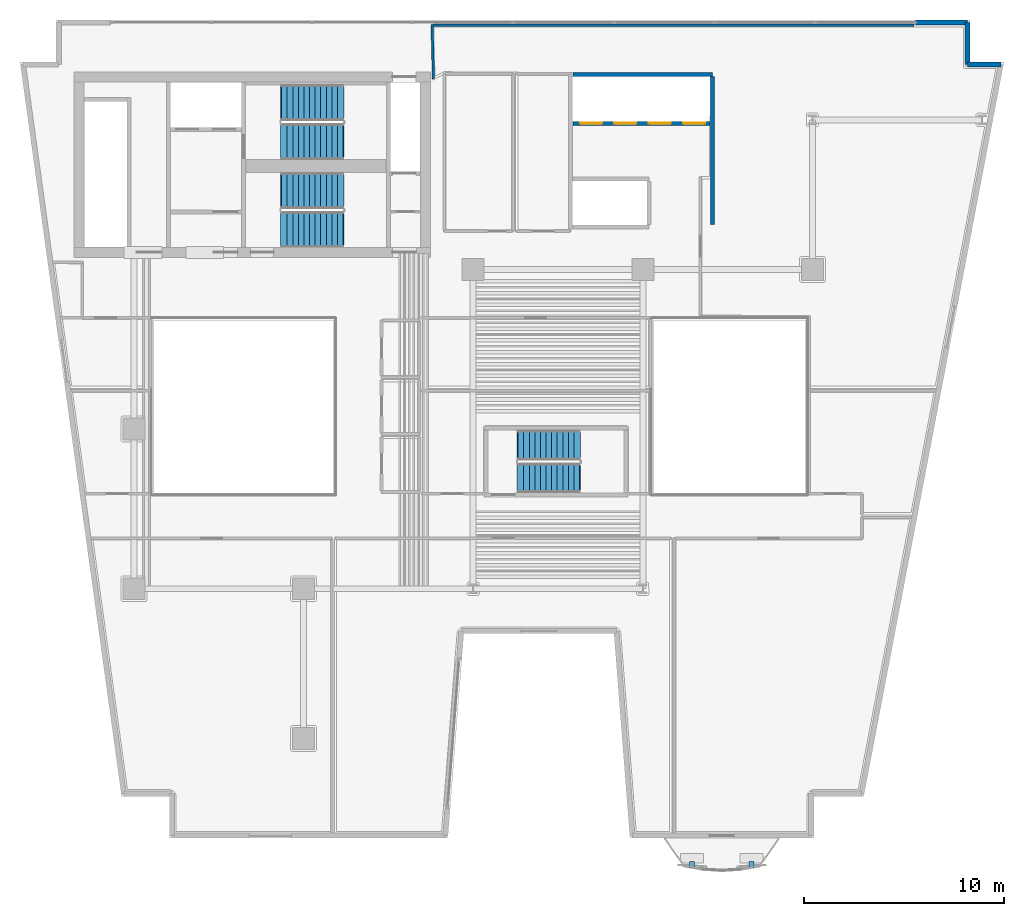
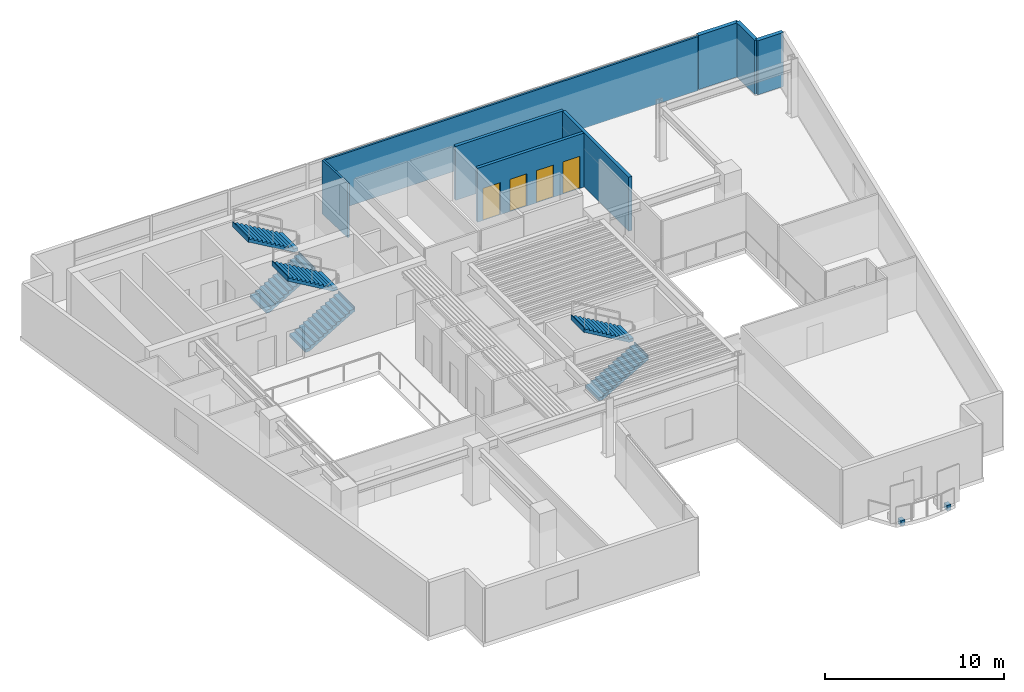
# One storey, part 8 of 13: 8 walls, 6 stair flights, 4 doors, 2 discrete accessories, 4 openings, 3 elements without a shape of their own.
"""IFC4 building model written with IfcOpenShell, lengths in metres."""

from ifc_helpers import new_model, si_unit, direction, frame, frame_2d, origin, origin_2d, place, context, subcontext, project, spatial, polyline, rectangle, outline, extrude, material, layer, layer_set, type_object, element, fill, aggregate, save


model = new_model("IFC4")

# Units and contexts
model_context = context("Model", 3, precision=1e-05, world=origin(), true_north=direction((0.0, 1.0)))
body_context = subcontext(model_context, "Body", "Model", "MODEL_VIEW")
ifc_project = project(units=[si_unit("LENGTHUNIT", "METRE"), si_unit("AREAUNIT", "SQUARE_METRE"), si_unit("VOLUMEUNIT", "CUBIC_METRE"), si_unit("PLANEANGLEUNIT", "RADIAN"), si_unit("MASSUNIT", "GRAM", prefix="KILO")], contexts=[model_context])

# Site, building, storey
site_placement = place(None, origin())
site = spatial("IfcSite", under=ifc_project, at=site_placement, CompositionType="ELEMENT")
building_placement = place(site_placement, origin())
building = spatial("IfcBuilding", under=site, at=building_placement, Name="Caeloran Harvest Quay", CompositionType="ELEMENT")
storey_placement = place(building_placement, frame((0.0, 0.0, 139.050048828125)))
storey = spatial("IfcBuildingStorey", under=building, at=storey_placement, Name="L32", CompositionType="ELEMENT", Elevation=139.050048828125)

# Walls
ifc_material_1 = material(Name="Precast concrete C50/60", Category="concrete")
ifc_layer_1 = layer(ifc_material_1, 0.260009765625, Name="Precast concrete C50/60")
ifc_layer_set_1 = layer_set([ifc_layer_1], Name="Precast concrete C50/60")
wall_type_1 = type_object("IfcWallType", Name="ENV-WALL-EW-260", PredefinedType="STANDARD", material=ifc_layer_set_1)
wall_1_placement = place(storey_placement, frame((47.669921875, 43.3701171875, 0.0), z_axis=(0.0, 0.0, 1.0), x_axis=(1.0, 0.0, 0.0)))
element("IfcWall", 1, at=wall_1_placement, inside=storey, type_object=wall_type_1, Name="L32 Exterior Facade Corner Pier Wall 6B", PredefinedType="STANDARD", context=body_context, shape_type="SweptSolid", body=[
    extrude(rectangle(XDim=2.60009765625, YDim=0.260009765625, at=frame_2d((1.300048828125, 0.0))), origin(), (0.0, 0.0, 1.0), 3.68994140625),
])
wall_2_placement = place(storey_placement, frame((50.27001953125, 43.3701171875, 0.0), z_axis=(0.0, 0.0, 1.0), x_axis=(0.0, -1.0, 0.0)))
element("IfcWall", 2, at=wall_2_placement, inside=storey, type_object=wall_type_1, Name="L32 Exterior Precast Concrete Facade Wall 7", PredefinedType="STANDARD", context=body_context, shape_type="SweptSolid", body=[
    extrude(rectangle(XDim=2.10009765625, YDim=0.260009765625, at=frame_2d((1.050048828125, 0.0))), origin(), (0.0, 0.0, 1.0), 3.68994140625),
])
wall_3_placement = place(storey_placement, frame((50.27001953125, 41.27001953125, 0.0), z_axis=(0.0, 0.0, 1.0), x_axis=(1.0, 0.0, 0.0)))
element("IfcWall", 3, at=wall_3_placement, inside=storey, type_object=wall_type_1, Name="L32 Exterior Precast Concrete Facade Wall 8", PredefinedType="STANDARD", context=body_context, shape_type="SweptSolid", body=[
    extrude(rectangle(XDim=1.671875, YDim=0.260009765625, at=frame_2d((0.8359375, 0.0))), origin(), (0.0, 0.0, 1.0), 3.68994140625),
])
ifc_material_2 = material(Name="Twin-Stud Mineral-Wool Acoustic Gypsum Partition", Category="gypsum")
ifc_layer_2 = layer(ifc_material_2, 0.125, Name="Twin-Stud Mineral-Wool Acoustic Gypsum Partition")
ifc_layer_set_2 = layer_set([ifc_layer_2], Name="Twin-Stud Mineral-Wool Acoustic Gypsum Partition")
wall_type_2 = type_object("IfcWallType", Name="INT-WALL-PW-125", PredefinedType="PARTITIONING", material=ifc_layer_set_2)
wall_4_placement = place(storey_placement, frame((23.510009765625, 40.555908203125, 0.0), z_axis=(0.0, 0.0, 1.0), x_axis=(-0.02567646332, 0.999670305266, 0.0)))
element("IfcWall", 4, at=wall_4_placement, inside=storey, type_object=wall_type_2, Name="Food Texture Sensory Laboratory 9 Partition Wall", PredefinedType="PARTITIONING", context=body_context, shape_type="SweptSolid", body=[
    extrude(rectangle(XDim=2.7099609375, YDim=0.125, at=frame_2d((1.35498046875, 0.0))), origin(), (0.0, 0.0, 1.0), 3.68994140625),
])
wall_5_placement = place(storey_placement, frame((23.508544921875, 43.239990234375, 0.0), z_axis=(0.0, 0.0, 1.0), x_axis=(1.0, 0.0, 0.0)))
element("IfcWall", 5, at=wall_5_placement, inside=storey, type_object=wall_type_2, Name="Food Texture Sensory Laboratory 9 Partition Wall", PredefinedType="PARTITIONING", context=body_context, shape_type="SweptSolid", body=[
    extrude(rectangle(XDim=24.0869140625, YDim=0.125, at=frame_2d((12.04345703125, 0.0))), origin(), (0.0, 0.0, 1.0), 3.68994140625),
])
ifc_material_3 = material(Name="Concrete C50/60", Category="concrete")
ifc_layer_3 = layer(ifc_material_3, 0.199951171875, Name="Concrete C50/60")
ifc_layer_set_3 = layer_set([ifc_layer_3], Name="Concrete C50/60")
wall_type_3 = type_object("IfcWallType", Name="INT-WALL-SW-200", PredefinedType="PARTITIONING", material=ifc_layer_set_3)
wall_6_placement = place(storey_placement, frame((30.5, 40.780029296875, 0.0), z_axis=(0.0, 0.0, 1.0), x_axis=(1.0, 0.0, 0.0)))
element("IfcWall", 6, at=wall_6_placement, inside=storey, type_object=wall_type_3, Name="L32 Bank 2 Lift Shaft North Wall", PredefinedType="PARTITIONING", context=body_context, shape_type="SweptSolid", body=[
    extrude(rectangle(XDim=6.97998046875, YDim=0.199951171875, at=frame_2d((3.489990234375, 0.0))), origin(), (0.0, 0.0, 1.0), 3.68994140625),
])
wall_7_placement = place(storey_placement, frame((37.47998046875, 33.239990234375, 0.0), z_axis=(0.0, 0.0, 1.0), x_axis=(0.0, 1.0, 0.0)))
element("IfcWall", 7, at=wall_7_placement, inside=storey, type_object=wall_type_3, Name="L32 Bank 2 Lift Shaft East Wall", PredefinedType="PARTITIONING", context=body_context, shape_type="SweptSolid", body=[
    extrude(rectangle(XDim=7.419921875, YDim=0.199951171875, at=frame_2d((3.7099609375, 0.0))), origin(), (0.0, 0.0, 1.0), 3.68994140625),
])

# Wall, openings, doors
wall_8_placement = place(storey_placement, frame((30.5, 38.320068359375, 0.0), z_axis=(0.0, 0.0, 1.0), x_axis=(1.0, 0.0, 0.0)))
wall_8 = element("IfcWall", 8, at=wall_8_placement, inside=storey, type_object=wall_type_3, Name="L32 Bank 2 Lift Landing Front Wall", PredefinedType="PARTITIONING", context=body_context, shape_type="SweptSolid", body=[
    extrude(rectangle(XDim=6.860107421875, YDim=0.199951171875, at=frame_2d((3.43017578125, 0.0))), origin(), (0.0, 0.0, 1.0), 3.68994140625),
])
opening_1_placement = place(wall_8_placement, frame((0.360107421875, 0.0, 0.0)))
opening_1 = element("IfcOpeningElement", 9, at=opening_1_placement, cuts=wall_8, Name="Opening LD-01", PredefinedType="OPENING", context=body_context, shape_type="SweptSolid", body=[
    extrude(rectangle(XDim=1.10009765625, YDim=2.199951171875, at=frame_2d((0.550048828125, 1.10009765625))), frame((0.0, 0.10986328125, 0.0), z_axis=(0.0, -1.0, 0.0), x_axis=(1.0, 0.0, 0.0)), (0.0, 0.0, 1.0), 0.219970703125),
])
opening_2_placement = place(wall_8_placement, frame((2.080078125, 0.0, 0.0)))
opening_2 = element("IfcOpeningElement", 10, at=opening_2_placement, cuts=wall_8, Name="Opening LD-01", PredefinedType="OPENING", context=body_context, shape_type="SweptSolid", body=[
    extrude(rectangle(XDim=1.10009765625, YDim=2.199951171875, at=frame_2d((0.550048828125, 1.10009765625))), frame((0.0, 0.10986328125, 0.0), z_axis=(0.0, -1.0, 0.0), x_axis=(1.0, 0.0, 0.0)), (0.0, 0.0, 1.0), 0.219970703125),
])
opening_3_placement = place(wall_8_placement, frame((3.800048828125, 0.0, 0.0)))
opening_3 = element("IfcOpeningElement", 11, at=opening_3_placement, cuts=wall_8, Name="Opening LD-01", PredefinedType="OPENING", context=body_context, shape_type="SweptSolid", body=[
    extrude(rectangle(XDim=1.10009765625, YDim=2.199951171875, at=frame_2d((0.550048828125, 1.10009765625))), frame((0.0, 0.10986328125, 0.0), z_axis=(0.0, -1.0, 0.0), x_axis=(1.0, 0.0, 0.0)), (0.0, 0.0, 1.0), 0.219970703125),
])
opening_4_placement = place(wall_8_placement, frame((5.52001953125, 0.0, 0.0)))
opening_4 = element("IfcOpeningElement", 12, at=opening_4_placement, cuts=wall_8, Name="Opening LD-01", PredefinedType="OPENING", context=body_context, shape_type="SweptSolid", body=[
    extrude(rectangle(XDim=1.10009765625, YDim=2.199951171875, at=frame_2d((0.550048828125, 1.10009765625))), frame((0.0, 0.10986328125, 0.0), z_axis=(0.0, -1.0, 0.0), x_axis=(1.0, 0.0, 0.0)), (0.0, 0.0, 1.0), 0.219970703125),
])
ifc_material_4 = material(Name="Stainless Steel Grade 316", Category="steel")
door_type = type_object("IfcDoorType", Name="INTDOOR-LD-01", OperationType="NOTDEFINED", PredefinedType="DOOR", material=ifc_material_4)
door_1_placement = place(opening_1_placement, origin())
door_1 = element("IfcDoor", 13, at=door_1_placement, inside=storey, type_object=door_type, Name="Lift P2-1 Sliding Landing Door (L32)", OperationType="DOUBLE_DOOR_SLIDING", OverallHeight=2.199951171875, OverallWidth=1.10009765625, PredefinedType="DOOR", context=body_context, shape_type="SweptSolid", body=[
    extrude(rectangle(XDim=1.10009765625, YDim=2.199951171875, at=frame_2d((0.550048828125, 1.10009765625))), frame((0.0, 0.02490234375, 0.0), z_axis=(0.0, -1.0, 0.0), x_axis=(1.0, 0.0, 0.0)), (0.0, 0.0, 1.0), 0.050048828125),
])
fill(opening_1, door_1)
door_2_placement = place(opening_2_placement, origin())
door_2 = element("IfcDoor", 14, at=door_2_placement, inside=storey, type_object=door_type, Name="Lift P2-2 Sliding Landing Door (L32)", OperationType="DOUBLE_DOOR_SLIDING", OverallHeight=2.199951171875, OverallWidth=1.10009765625, PredefinedType="DOOR", context=body_context, shape_type="SweptSolid", body=[
    extrude(rectangle(XDim=1.10009765625, YDim=2.199951171875, at=frame_2d((0.550048828125, 1.10009765625))), frame((0.0, 0.02490234375, 0.0), z_axis=(0.0, -1.0, 0.0), x_axis=(1.0, 0.0, 0.0)), (0.0, 0.0, 1.0), 0.050048828125),
])
fill(opening_2, door_2)
door_3_placement = place(opening_3_placement, origin())
door_3 = element("IfcDoor", 15, at=door_3_placement, inside=storey, type_object=door_type, Name="Lift P2-3 Sliding Landing Door (L32)", OperationType="DOUBLE_DOOR_SLIDING", OverallHeight=2.199951171875, OverallWidth=1.10009765625, PredefinedType="DOOR", context=body_context, shape_type="SweptSolid", body=[
    extrude(rectangle(XDim=1.10009765625, YDim=2.199951171875, at=frame_2d((0.550048828125, 1.10009765625))), frame((0.0, 0.02490234375, 0.0), z_axis=(0.0, -1.0, 0.0), x_axis=(1.0, 0.0, 0.0)), (0.0, 0.0, 1.0), 0.050048828125),
])
fill(opening_3, door_3)
door_4_placement = place(opening_4_placement, origin())
door_4 = element("IfcDoor", 16, at=door_4_placement, inside=storey, type_object=door_type, Name="Lift P2-4 Sliding Landing Door (L32)", OperationType="DOUBLE_DOOR_SLIDING", OverallHeight=2.199951171875, OverallWidth=1.10009765625, PredefinedType="DOOR", context=body_context, shape_type="SweptSolid", body=[
    extrude(rectangle(XDim=1.10009765625, YDim=2.199951171875, at=frame_2d((0.550048828125, 1.10009765625))), frame((0.0, 0.02490234375, 0.0), z_axis=(0.0, -1.0, 0.0), x_axis=(1.0, 0.0, 0.0)), (0.0, 0.0, 1.0), 0.050048828125),
])
fill(opening_4, door_4)

# Stair, stair flights
stair_type_1 = type_object("IfcStairType", Name="STAIR-STC-180", PredefinedType="HALF_TURN_STAIR", material=ifc_material_3)
stair_1_placement = place(storey_placement, origin())
stair_1 = element("IfcStair", 17, at=stair_1_placement, inside=storey, type_object=stair_type_1, Name="L32 Core Pressurized Exit Stair ST-C1", PredefinedType="HALF_TURN_STAIR")
stair_flight_type_1 = type_object("IfcStairFlightType", Name="FLIGHT-STC-180", PredefinedType="STRAIGHT", material=ifc_material_3)
stair_flight_1_placement = place(storey_placement, frame((15.89990234375, 37.39990234375, 0.0), z_axis=(0.0, 0.0, 1.0), x_axis=(1.0, 0.0, 0.0)))
stair_flight_1 = element("IfcStairFlight", 18, at=stair_flight_1_placement, type_object=stair_flight_type_1, Name="ST-C1 flight 1", NumberOfRisers=12, NumberOfTreads=11, PredefinedType="STRAIGHT", RiserHeight=0.164583333, TreadLength=0.28, context=body_context, shape_type="SweptSolid", body=[
    extrude(outline(polyline([(-0.054931640625, -0.044921875), (-0.054931640625, -0.031982421875), (-0.054931640625, -0.018798828125), (-0.054931640625, -0.005615234375), (-0.054931640625, 0.00732421875), (-0.054931640625, 0.0205078125), (-0.054931640625, 0.03369140625), (-0.054931640625, 0.046630859375), (-0.054931640625, 0.059814453125), (-0.054931640625, 0.072998046875), (-0.054931640625, 0.0859375), (-0.054931640625, 0.09912109375), (-0.054931640625, 0.1123046875), (-0.054931640625, 0.125244140625), (-0.054931640625, 0.138427734375), (-0.054931640625, 0.1513671875), (-0.054931640625, 0.16455078125), (0.280029296875, 0.16455078125), (0.280029296875, 0.3291015625), (0.56005859375, 0.3291015625), (0.56005859375, 0.49365234375), (0.840087890625, 0.49365234375), (0.840087890625, 0.658447265625), (1.1201171875, 0.658447265625), (1.1201171875, 0.822998046875), (1.39990234375, 0.822998046875), (1.39990234375, 0.987548828125), (1.679931640625, 0.987548828125), (1.679931640625, 1.152099609375), (1.9599609375, 1.152099609375), (1.9599609375, 1.316650390625), (2.239990234375, 1.316650390625), (2.239990234375, 1.481201171875), (2.52001953125, 1.481201171875), (2.52001953125, 1.645751953125), (2.800048828125, 1.645751953125), (2.800048828125, 1.810302734375), (3.080078125, 1.810302734375), (3.080078125, 1.97509765625), (3.135009765625, 1.97509765625), (3.135009765625, 1.953857421875), (3.135009765625, 1.9326171875), (3.135009765625, 1.91162109375), (3.135009765625, 1.890380859375), (3.135009765625, 1.869140625), (3.135009765625, 1.84814453125), (3.135009765625, 1.826904296875), (3.135009765625, 1.8056640625), (3.135009765625, 1.78466796875), (3.135009765625, 1.763427734375), (3.135009765625, 1.7421875), (3.135009765625, 1.72119140625), (3.135009765625, 1.699951171875), (3.135009765625, 1.678955078125), (3.135009765625, 1.65771484375), (3.135009765625, 1.636474609375), (3.080078125, 1.636474609375), (0.21923828125, -0.044921875), (-0.054931640625, -0.044921875)])), frame((0.0, 0.89990234375, 0.0), z_axis=(0.0, -1.0, 0.0), x_axis=(1.0, 0.0, 0.0)), (0.0, 0.0, 1.0), 1.800048828125),
])
stair_flight_2_placement = place(storey_placement, frame((18.97998046875, 39.35009765625, 1.974853515625), z_axis=(0.0, 0.0, 1.0), x_axis=(-1.0, 0.0, 0.0)))
stair_flight_2 = element("IfcStairFlight", 19, at=stair_flight_2_placement, type_object=stair_flight_type_1, Name="ST-C1 flight 2", NumberOfRisers=12, NumberOfTreads=11, PredefinedType="STRAIGHT", RiserHeight=0.164583333, TreadLength=0.28, context=body_context, shape_type="SweptSolid", body=[
    extrude(outline(polyline([(-0.054931640625, -0.044921875), (-0.054931640625, -0.031982421875), (-0.054931640625, -0.018798828125), (-0.054931640625, -0.005615234375), (-0.054931640625, 0.00732421875), (-0.054931640625, 0.0205078125), (-0.054931640625, 0.03369140625), (-0.054931640625, 0.046630859375), (-0.054931640625, 0.059814453125), (-0.054931640625, 0.072998046875), (-0.054931640625, 0.0859375), (-0.054931640625, 0.09912109375), (-0.054931640625, 0.1123046875), (-0.054931640625, 0.125244140625), (-0.054931640625, 0.138427734375), (-0.054931640625, 0.1513671875), (-0.054931640625, 0.16455078125), (0.280029296875, 0.16455078125), (0.280029296875, 0.3291015625), (0.56005859375, 0.3291015625), (0.56005859375, 0.49365234375), (0.840087890625, 0.49365234375), (0.840087890625, 0.658447265625), (1.1201171875, 0.658447265625), (1.1201171875, 0.822998046875), (1.39990234375, 0.822998046875), (1.39990234375, 0.987548828125), (1.679931640625, 0.987548828125), (1.679931640625, 1.152099609375), (1.9599609375, 1.152099609375), (1.9599609375, 1.316650390625), (2.239990234375, 1.316650390625), (2.239990234375, 1.481201171875), (2.52001953125, 1.481201171875), (2.52001953125, 1.645751953125), (2.800048828125, 1.645751953125), (2.800048828125, 1.810302734375), (3.080078125, 1.810302734375), (3.080078125, 1.97509765625), (3.135009765625, 1.97509765625), (3.135009765625, 1.953857421875), (3.135009765625, 1.9326171875), (3.135009765625, 1.91162109375), (3.135009765625, 1.890380859375), (3.135009765625, 1.869140625), (3.135009765625, 1.84814453125), (3.135009765625, 1.826904296875), (3.135009765625, 1.8056640625), (3.135009765625, 1.78466796875), (3.135009765625, 1.763427734375), (3.135009765625, 1.7421875), (3.135009765625, 1.72119140625), (3.135009765625, 1.699951171875), (3.135009765625, 1.678955078125), (3.135009765625, 1.65771484375), (3.135009765625, 1.636474609375), (3.080078125, 1.636474609375), (0.21923828125, -0.044921875), (-0.054931640625, -0.044921875)])), frame((0.0, 0.89990234375, 0.0), z_axis=(0.0, -1.0, 0.0), x_axis=(1.0, 0.0, 0.0)), (0.0, 0.0, 1.0), 1.800048828125),
])
aggregate(stair_1, [stair_flight_1, stair_flight_2])

stair_2_placement = place(storey_placement, origin())
stair_2 = element("IfcStair", 20, at=stair_2_placement, inside=storey, type_object=stair_type_1, Name="L32 Core Pressurized Exit Stair ST-C2", PredefinedType="HALF_TURN_STAIR")
stair_flight_3_placement = place(storey_placement, frame((15.89990234375, 33.0, 0.0), z_axis=(0.0, 0.0, 1.0), x_axis=(1.0, 0.0, 0.0)))
stair_flight_3 = element("IfcStairFlight", 21, at=stair_flight_3_placement, type_object=stair_flight_type_1, Name="ST-C2 flight 1", NumberOfRisers=12, NumberOfTreads=11, PredefinedType="STRAIGHT", RiserHeight=0.164583333, TreadLength=0.28, context=body_context, shape_type="SweptSolid", body=[
    extrude(outline(polyline([(-0.054931640625, -0.044921875), (-0.054931640625, -0.031982421875), (-0.054931640625, -0.018798828125), (-0.054931640625, -0.005615234375), (-0.054931640625, 0.00732421875), (-0.054931640625, 0.0205078125), (-0.054931640625, 0.03369140625), (-0.054931640625, 0.046630859375), (-0.054931640625, 0.059814453125), (-0.054931640625, 0.072998046875), (-0.054931640625, 0.0859375), (-0.054931640625, 0.09912109375), (-0.054931640625, 0.1123046875), (-0.054931640625, 0.125244140625), (-0.054931640625, 0.138427734375), (-0.054931640625, 0.1513671875), (-0.054931640625, 0.16455078125), (0.280029296875, 0.16455078125), (0.280029296875, 0.3291015625), (0.56005859375, 0.3291015625), (0.56005859375, 0.49365234375), (0.840087890625, 0.49365234375), (0.840087890625, 0.658447265625), (1.1201171875, 0.658447265625), (1.1201171875, 0.822998046875), (1.39990234375, 0.822998046875), (1.39990234375, 0.987548828125), (1.679931640625, 0.987548828125), (1.679931640625, 1.152099609375), (1.9599609375, 1.152099609375), (1.9599609375, 1.316650390625), (2.239990234375, 1.316650390625), (2.239990234375, 1.481201171875), (2.52001953125, 1.481201171875), (2.52001953125, 1.645751953125), (2.800048828125, 1.645751953125), (2.800048828125, 1.810302734375), (3.080078125, 1.810302734375), (3.080078125, 1.97509765625), (3.135009765625, 1.97509765625), (3.135009765625, 1.953857421875), (3.135009765625, 1.9326171875), (3.135009765625, 1.91162109375), (3.135009765625, 1.890380859375), (3.135009765625, 1.869140625), (3.135009765625, 1.84814453125), (3.135009765625, 1.826904296875), (3.135009765625, 1.8056640625), (3.135009765625, 1.78466796875), (3.135009765625, 1.763427734375), (3.135009765625, 1.7421875), (3.135009765625, 1.72119140625), (3.135009765625, 1.699951171875), (3.135009765625, 1.678955078125), (3.135009765625, 1.65771484375), (3.135009765625, 1.636474609375), (3.080078125, 1.636474609375), (0.21923828125, -0.044921875), (-0.054931640625, -0.044921875)])), frame((0.0, 0.89990234375, 0.0), z_axis=(0.0, -1.0, 0.0), x_axis=(1.0, 0.0, 0.0)), (0.0, 0.0, 1.0), 1.800048828125),
])
stair_flight_4_placement = place(storey_placement, frame((18.97998046875, 34.949951171875, 1.974853515625), z_axis=(0.0, 0.0, 1.0), x_axis=(-1.0, 0.0, 0.0)))
stair_flight_4 = element("IfcStairFlight", 22, at=stair_flight_4_placement, type_object=stair_flight_type_1, Name="ST-C2 flight 2", NumberOfRisers=12, NumberOfTreads=11, PredefinedType="STRAIGHT", RiserHeight=0.164583333, TreadLength=0.28, context=body_context, shape_type="SweptSolid", body=[
    extrude(outline(polyline([(-0.054931640625, -0.044921875), (-0.054931640625, -0.031982421875), (-0.054931640625, -0.018798828125), (-0.054931640625, -0.005615234375), (-0.054931640625, 0.00732421875), (-0.054931640625, 0.0205078125), (-0.054931640625, 0.03369140625), (-0.054931640625, 0.046630859375), (-0.054931640625, 0.059814453125), (-0.054931640625, 0.072998046875), (-0.054931640625, 0.0859375), (-0.054931640625, 0.09912109375), (-0.054931640625, 0.1123046875), (-0.054931640625, 0.125244140625), (-0.054931640625, 0.138427734375), (-0.054931640625, 0.1513671875), (-0.054931640625, 0.16455078125), (0.280029296875, 0.16455078125), (0.280029296875, 0.3291015625), (0.56005859375, 0.3291015625), (0.56005859375, 0.49365234375), (0.840087890625, 0.49365234375), (0.840087890625, 0.658447265625), (1.1201171875, 0.658447265625), (1.1201171875, 0.822998046875), (1.39990234375, 0.822998046875), (1.39990234375, 0.987548828125), (1.679931640625, 0.987548828125), (1.679931640625, 1.152099609375), (1.9599609375, 1.152099609375), (1.9599609375, 1.316650390625), (2.239990234375, 1.316650390625), (2.239990234375, 1.481201171875), (2.52001953125, 1.481201171875), (2.52001953125, 1.645751953125), (2.800048828125, 1.645751953125), (2.800048828125, 1.810302734375), (3.080078125, 1.810302734375), (3.080078125, 1.97509765625), (3.135009765625, 1.97509765625), (3.135009765625, 1.953857421875), (3.135009765625, 1.9326171875), (3.135009765625, 1.91162109375), (3.135009765625, 1.890380859375), (3.135009765625, 1.869140625), (3.135009765625, 1.84814453125), (3.135009765625, 1.826904296875), (3.135009765625, 1.8056640625), (3.135009765625, 1.78466796875), (3.135009765625, 1.763427734375), (3.135009765625, 1.7421875), (3.135009765625, 1.72119140625), (3.135009765625, 1.699951171875), (3.135009765625, 1.678955078125), (3.135009765625, 1.65771484375), (3.135009765625, 1.636474609375), (3.080078125, 1.636474609375), (0.21923828125, -0.044921875), (-0.054931640625, -0.044921875)])), frame((0.0, 0.89990234375, 0.0), z_axis=(0.0, -1.0, 0.0), x_axis=(1.0, 0.0, 0.0)), (0.0, 0.0, 1.0), 1.800048828125),
])
aggregate(stair_2, [stair_flight_3, stair_flight_4])

stair_type_2 = type_object("IfcStairType", Name="STAIR-STW-150", PredefinedType="HALF_TURN_STAIR", material=ifc_material_3)
stair_3_placement = place(storey_placement, origin())
stair_3 = element("IfcStair", 23, at=stair_3_placement, inside=storey, type_object=stair_type_2, Name="L32 East Wing Protected Exit Stair ST-W1", PredefinedType="HALF_TURN_STAIR")
stair_flight_type_2 = type_object("IfcStairFlightType", Name="FLIGHT-STW-150", PredefinedType="STRAIGHT", material=ifc_material_3)
stair_flight_5_placement = place(storey_placement, frame((27.75, 20.550048828125, 0.0), z_axis=(0.0, 0.0, 1.0), x_axis=(1.0, 0.0, 0.0)))
stair_flight_5 = element("IfcStairFlight", 24, at=stair_flight_5_placement, type_object=stair_flight_type_2, Name="ST-W1 flight 1", NumberOfRisers=12, NumberOfTreads=11, PredefinedType="STRAIGHT", RiserHeight=0.164583333, TreadLength=0.28, context=body_context, shape_type="SweptSolid", body=[
    extrude(outline(polyline([(-0.054931640625, -0.044921875), (-0.054931640625, -0.031982421875), (-0.054931640625, -0.018798828125), (-0.054931640625, -0.005615234375), (-0.054931640625, 0.00732421875), (-0.054931640625, 0.0205078125), (-0.054931640625, 0.03369140625), (-0.054931640625, 0.046630859375), (-0.054931640625, 0.059814453125), (-0.054931640625, 0.072998046875), (-0.054931640625, 0.0859375), (-0.054931640625, 0.09912109375), (-0.054931640625, 0.1123046875), (-0.054931640625, 0.125244140625), (-0.054931640625, 0.138427734375), (-0.054931640625, 0.1513671875), (-0.054931640625, 0.16455078125), (0.280029296875, 0.16455078125), (0.280029296875, 0.3291015625), (0.56005859375, 0.3291015625), (0.56005859375, 0.49365234375), (0.840087890625, 0.49365234375), (0.840087890625, 0.658447265625), (1.1201171875, 0.658447265625), (1.1201171875, 0.822998046875), (1.39990234375, 0.822998046875), (1.39990234375, 0.987548828125), (1.679931640625, 0.987548828125), (1.679931640625, 1.152099609375), (1.9599609375, 1.152099609375), (1.9599609375, 1.316650390625), (2.239990234375, 1.316650390625), (2.239990234375, 1.481201171875), (2.52001953125, 1.481201171875), (2.52001953125, 1.645751953125), (2.800048828125, 1.645751953125), (2.800048828125, 1.810302734375), (3.080078125, 1.810302734375), (3.080078125, 1.97509765625), (3.135009765625, 1.97509765625), (3.135009765625, 1.953857421875), (3.135009765625, 1.9326171875), (3.135009765625, 1.91162109375), (3.135009765625, 1.890380859375), (3.135009765625, 1.869140625), (3.135009765625, 1.84814453125), (3.135009765625, 1.826904296875), (3.135009765625, 1.8056640625), (3.135009765625, 1.78466796875), (3.135009765625, 1.763427734375), (3.135009765625, 1.7421875), (3.135009765625, 1.72119140625), (3.135009765625, 1.699951171875), (3.135009765625, 1.678955078125), (3.135009765625, 1.65771484375), (3.135009765625, 1.636474609375), (3.080078125, 1.636474609375), (0.21923828125, -0.044921875), (-0.054931640625, -0.044921875)])), frame((0.0, 0.75, 0.0), z_axis=(0.0, -1.0, 0.0), x_axis=(1.0, 0.0, 0.0)), (0.0, 0.0, 1.0), 1.5),
])
stair_flight_6_placement = place(storey_placement, frame((30.830078125, 22.199951171875, 1.974853515625), z_axis=(0.0, 0.0, 1.0), x_axis=(-1.0, 0.0, 0.0)))
stair_flight_6 = element("IfcStairFlight", 25, at=stair_flight_6_placement, type_object=stair_flight_type_2, Name="ST-W1 flight 2", NumberOfRisers=12, NumberOfTreads=11, PredefinedType="STRAIGHT", RiserHeight=0.164583333, TreadLength=0.28, context=body_context, shape_type="SweptSolid", body=[
    extrude(outline(polyline([(-0.054931640625, -0.044921875), (-0.054931640625, -0.031982421875), (-0.054931640625, -0.018798828125), (-0.054931640625, -0.005615234375), (-0.054931640625, 0.00732421875), (-0.054931640625, 0.0205078125), (-0.054931640625, 0.03369140625), (-0.054931640625, 0.046630859375), (-0.054931640625, 0.059814453125), (-0.054931640625, 0.072998046875), (-0.054931640625, 0.0859375), (-0.054931640625, 0.09912109375), (-0.054931640625, 0.1123046875), (-0.054931640625, 0.125244140625), (-0.054931640625, 0.138427734375), (-0.054931640625, 0.1513671875), (-0.054931640625, 0.16455078125), (0.280029296875, 0.16455078125), (0.280029296875, 0.3291015625), (0.56005859375, 0.3291015625), (0.56005859375, 0.49365234375), (0.840087890625, 0.49365234375), (0.840087890625, 0.658447265625), (1.1201171875, 0.658447265625), (1.1201171875, 0.822998046875), (1.39990234375, 0.822998046875), (1.39990234375, 0.987548828125), (1.679931640625, 0.987548828125), (1.679931640625, 1.152099609375), (1.9599609375, 1.152099609375), (1.9599609375, 1.316650390625), (2.239990234375, 1.316650390625), (2.239990234375, 1.481201171875), (2.52001953125, 1.481201171875), (2.52001953125, 1.645751953125), (2.800048828125, 1.645751953125), (2.800048828125, 1.810302734375), (3.080078125, 1.810302734375), (3.080078125, 1.97509765625), (3.135009765625, 1.97509765625), (3.135009765625, 1.953857421875), (3.135009765625, 1.9326171875), (3.135009765625, 1.91162109375), (3.135009765625, 1.890380859375), (3.135009765625, 1.869140625), (3.135009765625, 1.84814453125), (3.135009765625, 1.826904296875), (3.135009765625, 1.8056640625), (3.135009765625, 1.78466796875), (3.135009765625, 1.763427734375), (3.135009765625, 1.7421875), (3.135009765625, 1.72119140625), (3.135009765625, 1.699951171875), (3.135009765625, 1.678955078125), (3.135009765625, 1.65771484375), (3.135009765625, 1.636474609375), (3.080078125, 1.636474609375), (0.21923828125, -0.044921875), (-0.054931640625, -0.044921875)])), frame((0.0, 0.75, 0.0), z_axis=(0.0, -1.0, 0.0), x_axis=(1.0, 0.0, 0.0)), (0.0, 0.0, 1.0), 1.5),
])
aggregate(stair_3, [stair_flight_5, stair_flight_6])

# Discrete accessories
ifc_material_5 = material(Name="Stainless Steel Grade 316L", Category="steel")
discrete_accessory_type = type_object("IfcDiscreteAccessoryType", Name="BRACKET-SCREEN-SS", PredefinedType="BRACKET", material=ifc_material_5)
for number, where, z_axis, x_axis, name in (
    (26, (39.44921875, 1.17138671875, -0.22021484375), (0.0, 0.0, 1.0), (1.0, 0.0, 0.0), "L32 Balcony Screen Support Bracket 1"),
    (27, (36.4658203125, 1.17138671875, -0.22021484375), (0.0, 0.0, 1.0), (1.0, 0.0, 0.0), "L32 Balcony Screen Support Bracket 2"),
):
    element("IfcDiscreteAccessory", number, at=place(storey_placement, frame(where, z_axis=z_axis, x_axis=x_axis)), inside=storey, type_object=discrete_accessory_type, Name=name, PredefinedType="BRACKET", context=body_context, shape_type="SweptSolid", body=[
        extrude(rectangle(XDim=0.260009765625, YDim=0.340087890625, at=origin_2d()), origin(), (0.0, 0.0, 1.0), 0.360107421875),
    ])

save(model, "model.ifc")
